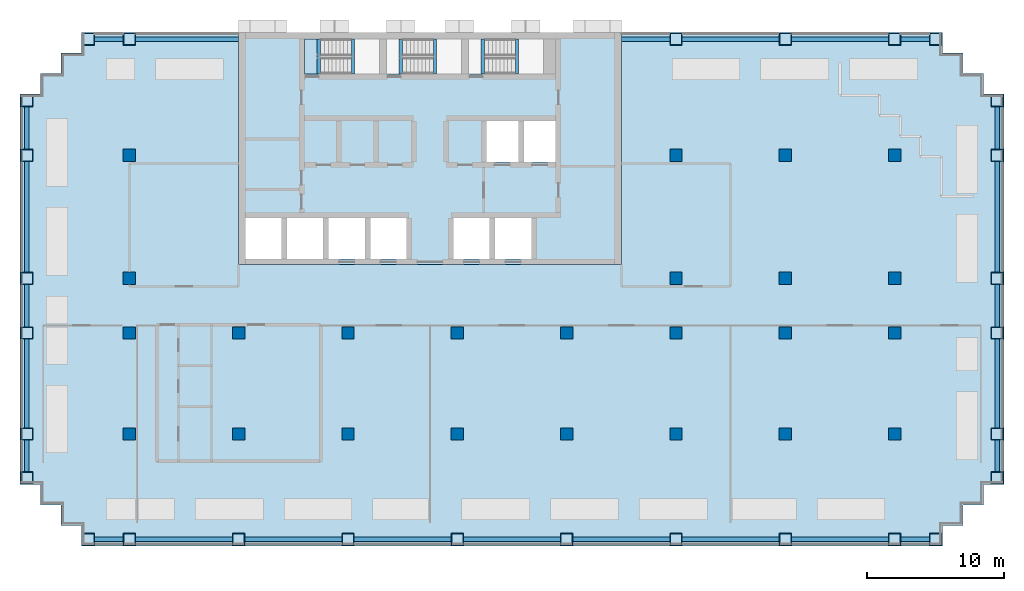
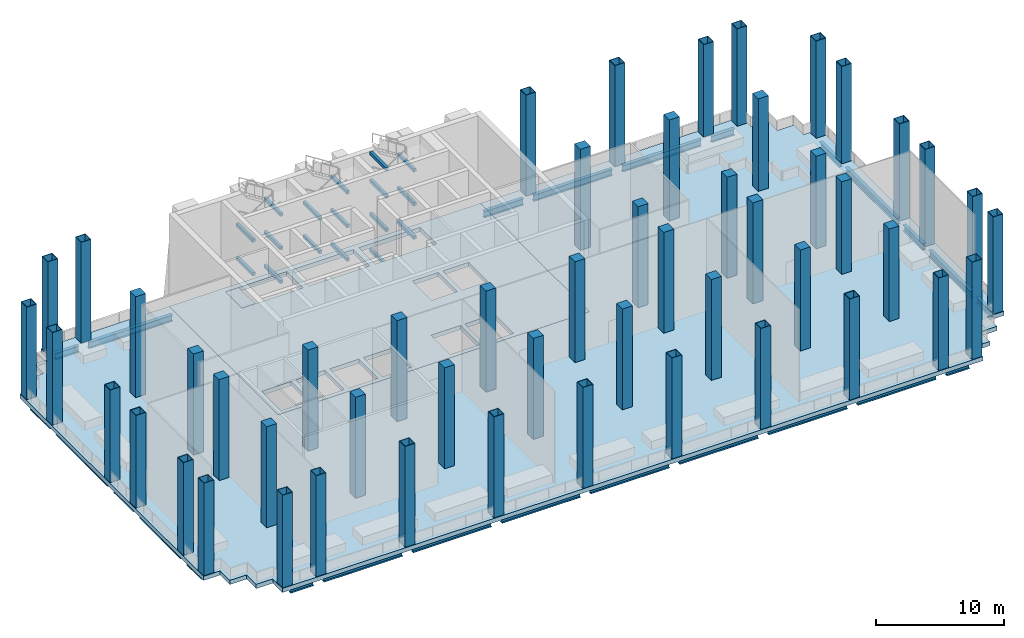
# One storey, part 1 of 9: 52 columns, 42 beams, 3 slabs.
"""IFC4 building model written with IfcOpenShell, lengths in metres."""

from ifc_helpers import new_model, si_unit, direction, frame, origin, origin_2d, place, context, subcontext, project, spatial, polyline, rectangle, hollow_rectangle, i_section, outline, extrude, material, layer, layer_set, material_profile, profile_set, type_object, element, save


model = new_model("IFC4")

# Units and contexts
model_context = context("Model", 3, precision=1e-05, world=origin(), true_north=direction((0.0, 1.0)))
body_context = subcontext(model_context, "Body", "Model", "MODEL_VIEW")
ifc_project = project(units=[si_unit("LENGTHUNIT", "METRE"), si_unit("AREAUNIT", "SQUARE_METRE"), si_unit("VOLUMEUNIT", "CUBIC_METRE"), si_unit("PLANEANGLEUNIT", "RADIAN"), si_unit("MASSUNIT", "GRAM", prefix="KILO")], contexts=[model_context])

# Site, building, storey
site_placement = place(None, origin())
site = spatial("IfcSite", under=ifc_project, at=site_placement, CompositionType="ELEMENT")
building_placement = place(site_placement, origin())
building = spatial("IfcBuilding", under=site, at=building_placement, Name="Vidyagriha Tower", CompositionType="ELEMENT")
storey_placement = place(building_placement, frame((0.0, 0.0, 106.300048828125)))
storey = spatial("IfcBuildingStorey", under=building, at=storey_placement, Name="L28", CompositionType="ELEMENT", Elevation=106.300048828125)

# Columns
ifc_material_1 = material(Name="Steel ASTM A572 Grade 50", Category="steel")
ifc_material_profile_1 = material_profile(ifc_material_1, hollow_rectangle(XDim=0.89990234375, YDim=0.89990234375, WallThickness=0.044921875, at=origin_2d()), Name="BOX 900x900x45")
ifc_profile_set_1 = profile_set([ifc_material_profile_1], Name="Steel ASTM A572 Grade 50")
column_type_1 = type_object("IfcColumnType", Name="Exoskeleton column BOX 900x900x45", PredefinedType="COLUMN", material=ifc_profile_set_1)
column_1_placement = place(storey_placement, frame((-25.0, -17.10009765625, 0.0)))
element("IfcColumn", 1, at=column_1_placement, inside=storey, type_object=column_type_1, Name="st-col-L28-B2-001", PredefinedType="COLUMN", context=body_context, shape_type="SweptSolid", body=[
    extrude(hollow_rectangle(XDim=0.89990234375, YDim=0.89990234375, WallThickness=0.044921875, at=origin_2d()), origin(), (0.0, 0.0, 1.0), 8.800048828125),
])
for number, where, name in (
    (2, (-22.0, -17.10009765625, 0.0), "st-col-L28-B2-002"),
    (3, (-14.0, -17.10009765625, 0.0), "st-col-L28-B2-003"),
    (4, (-6.0, -17.10009765625, 0.0), "st-col-L28-B2-004"),
    (5, (2.0, -17.10009765625, 0.0), "st-col-L28-B2-005"),
    (6, (10.0, -17.10009765625, 0.0), "st-col-L28-B2-006"),
    (7, (18.0, -17.10009765625, 0.0), "st-col-L28-B2-007"),
    (8, (26.0, -17.10009765625, 0.0), "st-col-L28-B2-008"),
):
    element("IfcColumn", number, at=place(storey_placement, frame(where)), inside=storey, type_object=column_type_1, Name=name, PredefinedType="COLUMN", context=body_context, shape_type="SweptSolid", body=[
        extrude(hollow_rectangle(XDim=0.89990234375, YDim=0.89990234375, WallThickness=0.044921875, at=origin_2d()), origin(), (0.0, 0.0, 1.0), 9.599853515625),
    ])
column_2_placement = place(storey_placement, frame((34.0, -17.10009765625, 0.0)))
element("IfcColumn", 9, at=column_2_placement, inside=storey, type_object=column_type_1, Name="st-col-L28-B2-009", PredefinedType="COLUMN", context=body_context, shape_type="SweptSolid", body=[
    extrude(hollow_rectangle(XDim=0.89990234375, YDim=0.89990234375, WallThickness=0.044921875, at=origin_2d()), origin(), (0.0, 0.0, 1.0), 8.800048828125),
])
column_3_placement = place(storey_placement, frame((37.0, -17.10009765625, 0.0)))
element("IfcColumn", 10, at=column_3_placement, inside=storey, type_object=column_type_1, Name="st-col-L28-B2-010", PredefinedType="COLUMN", context=body_context, shape_type="SweptSolid", body=[
    extrude(hollow_rectangle(XDim=0.89990234375, YDim=0.89990234375, WallThickness=0.044921875, at=origin_2d()), origin(), (0.0, 0.0, 1.0), 9.25),
])
column_4_placement = place(storey_placement, frame((-29.5, -12.60009765625, 0.0)))
element("IfcColumn", 11, at=column_4_placement, inside=storey, type_object=column_type_1, Name="st-col-L28-B2-011", PredefinedType="COLUMN", context=body_context, shape_type="SweptSolid", body=[
    extrude(hollow_rectangle(XDim=0.89990234375, YDim=0.89990234375, WallThickness=0.044921875, at=origin_2d()), origin(), (0.0, 0.0, 1.0), 8.800048828125),
])
column_5_placement = place(storey_placement, frame((41.5, -12.60009765625, 0.0)))
element("IfcColumn", 12, at=column_5_placement, inside=storey, type_object=column_type_1, Name="st-col-L28-B2-012", PredefinedType="COLUMN", context=body_context, shape_type="SweptSolid", body=[
    extrude(hollow_rectangle(XDim=0.89990234375, YDim=0.89990234375, WallThickness=0.044921875, at=origin_2d()), origin(), (0.0, 0.0, 1.0), 9.25),
])
column_6_placement = place(storey_placement, frame((-29.5, -9.39990234375, 0.0)))
element("IfcColumn", 13, at=column_6_placement, inside=storey, type_object=column_type_1, Name="st-col-L28-B2-013", PredefinedType="COLUMN", context=body_context, shape_type="SweptSolid", body=[
    extrude(hollow_rectangle(XDim=0.89990234375, YDim=0.89990234375, WallThickness=0.044921875, at=origin_2d()), origin(), (0.0, 0.0, 1.0), 8.800048828125),
])
column_7_placement = place(storey_placement, frame((41.5, -9.39990234375, 0.0)))
element("IfcColumn", 14, at=column_7_placement, inside=storey, type_object=column_type_1, Name="st-col-L28-B2-022", PredefinedType="COLUMN", context=body_context, shape_type="SweptSolid", body=[
    extrude(hollow_rectangle(XDim=0.89990234375, YDim=0.89990234375, WallThickness=0.044921875, at=origin_2d()), origin(), (0.0, 0.0, 1.0), 9.25),
])
column_8_placement = place(storey_placement, frame((-29.5, -2.0, 0.0)))
element("IfcColumn", 15, at=column_8_placement, inside=storey, type_object=column_type_1, Name="st-col-L28-B2-023", PredefinedType="COLUMN", context=body_context, shape_type="SweptSolid", body=[
    extrude(hollow_rectangle(XDim=0.89990234375, YDim=0.89990234375, WallThickness=0.044921875, at=origin_2d()), origin(), (0.0, 0.0, 1.0), 8.800048828125),
])
column_9_placement = place(storey_placement, frame((41.5, -2.0, 0.0)))
element("IfcColumn", 16, at=column_9_placement, inside=storey, type_object=column_type_1, Name="st-col-L28-B2-032", PredefinedType="COLUMN", context=body_context, shape_type="SweptSolid", body=[
    extrude(hollow_rectangle(XDim=0.89990234375, YDim=0.89990234375, WallThickness=0.044921875, at=origin_2d()), origin(), (0.0, 0.0, 1.0), 9.25),
])
column_10_placement = place(storey_placement, frame((-29.5, 2.0, 0.0)))
element("IfcColumn", 17, at=column_10_placement, inside=storey, type_object=column_type_1, Name="st-col-L28-B2-033", PredefinedType="COLUMN", context=body_context, shape_type="SweptSolid", body=[
    extrude(hollow_rectangle(XDim=0.89990234375, YDim=0.89990234375, WallThickness=0.044921875, at=origin_2d()), origin(), (0.0, 0.0, 1.0), 8.800048828125),
])
column_11_placement = place(storey_placement, frame((41.5, 2.0, 0.0)))
element("IfcColumn", 18, at=column_11_placement, inside=storey, type_object=column_type_1, Name="st-col-L28-B2-038", PredefinedType="COLUMN", context=body_context, shape_type="SweptSolid", body=[
    extrude(hollow_rectangle(XDim=0.89990234375, YDim=0.89990234375, WallThickness=0.044921875, at=origin_2d()), origin(), (0.0, 0.0, 1.0), 9.25),
])
column_12_placement = place(storey_placement, frame((-29.5, 11.0, 0.0)))
element("IfcColumn", 19, at=column_12_placement, inside=storey, type_object=column_type_1, Name="st-col-L28-B2-039", PredefinedType="COLUMN", context=body_context, shape_type="SweptSolid", body=[
    extrude(hollow_rectangle(XDim=0.89990234375, YDim=0.89990234375, WallThickness=0.044921875, at=origin_2d()), origin(), (0.0, 0.0, 1.0), 8.800048828125),
])
column_13_placement = place(storey_placement, frame((41.5, 11.0, 0.0)))
element("IfcColumn", 20, at=column_13_placement, inside=storey, type_object=column_type_1, Name="st-col-L28-B2-044", PredefinedType="COLUMN", context=body_context, shape_type="SweptSolid", body=[
    extrude(hollow_rectangle(XDim=0.89990234375, YDim=0.89990234375, WallThickness=0.044921875, at=origin_2d()), origin(), (0.0, 0.0, 1.0), 9.25),
])
column_14_placement = place(storey_placement, frame((-29.5, 15.0, 0.0)))
element("IfcColumn", 21, at=column_14_placement, inside=storey, type_object=column_type_1, Name="st-col-L28-B2-045", PredefinedType="COLUMN", context=body_context, shape_type="SweptSolid", body=[
    extrude(hollow_rectangle(XDim=0.89990234375, YDim=0.89990234375, WallThickness=0.044921875, at=origin_2d()), origin(), (0.0, 0.0, 1.0), 8.800048828125),
])
column_15_placement = place(storey_placement, frame((41.5, 15.0, 0.0)))
element("IfcColumn", 22, at=column_15_placement, inside=storey, type_object=column_type_1, Name="st-col-L28-B2-046", PredefinedType="COLUMN", context=body_context, shape_type="SweptSolid", body=[
    extrude(hollow_rectangle(XDim=0.89990234375, YDim=0.89990234375, WallThickness=0.044921875, at=origin_2d()), origin(), (0.0, 0.0, 1.0), 9.25),
])
column_16_placement = place(storey_placement, frame((-25.0, 19.5, 0.0)))
element("IfcColumn", 23, at=column_16_placement, inside=storey, type_object=column_type_1, Name="st-col-L28-B2-047", PredefinedType="COLUMN", context=body_context, shape_type="SweptSolid", body=[
    extrude(hollow_rectangle(XDim=0.89990234375, YDim=0.89990234375, WallThickness=0.044921875, at=origin_2d()), origin(), (0.0, 0.0, 1.0), 8.800048828125),
])
for number, where, name in (
    (24, (-22.0, 19.5, 0.0), "st-col-L28-B2-048"),
    (25, (18.0, 19.5, 0.0), "st-col-L28-B2-049"),
    (26, (26.0, 19.5, 0.0), "st-col-L28-B2-050"),
):
    element("IfcColumn", number, at=place(storey_placement, frame(where)), inside=storey, type_object=column_type_1, Name=name, PredefinedType="COLUMN", context=body_context, shape_type="SweptSolid", body=[
        extrude(hollow_rectangle(XDim=0.89990234375, YDim=0.89990234375, WallThickness=0.044921875, at=origin_2d()), origin(), (0.0, 0.0, 1.0), 9.599853515625),
    ])
column_17_placement = place(storey_placement, frame((34.0, 19.5, 0.0)))
element("IfcColumn", 27, at=column_17_placement, inside=storey, type_object=column_type_1, Name="st-col-L28-B2-051", PredefinedType="COLUMN", context=body_context, shape_type="SweptSolid", body=[
    extrude(hollow_rectangle(XDim=0.89990234375, YDim=0.89990234375, WallThickness=0.044921875, at=origin_2d()), origin(), (0.0, 0.0, 1.0), 8.800048828125),
])
column_18_placement = place(storey_placement, frame((37.0, 19.5, 0.0)))
element("IfcColumn", 28, at=column_18_placement, inside=storey, type_object=column_type_1, Name="st-col-L28-B2-052", PredefinedType="COLUMN", context=body_context, shape_type="SweptSolid", body=[
    extrude(hollow_rectangle(XDim=0.89990234375, YDim=0.89990234375, WallThickness=0.044921875, at=origin_2d()), origin(), (0.0, 0.0, 1.0), 9.25),
])
ifc_material_2 = material(Name="Concrete C80/95", Category="concrete")
ifc_material_profile_2 = material_profile(ifc_material_2, rectangle(XDim=0.89990234375, YDim=0.89990234375, at=origin_2d()), Name="RC 900x900")
ifc_profile_set_2 = profile_set([ifc_material_profile_2], Name="Concrete C80/95")
column_type_2 = type_object("IfcColumnType", Name="Frame column RC 900x900", PredefinedType="COLUMN", material=ifc_profile_set_2)
for number, where, name in (
    (29, (-22.0, -9.39990234375, 0.0), "st-col-L28-B2-014"),
    (30, (-14.0, -9.39990234375, 0.0), "st-col-L28-B2-015"),
    (31, (-6.0, -9.39990234375, 0.0), "st-col-L28-B2-016"),
    (32, (2.0, -9.39990234375, 0.0), "st-col-L28-B2-017"),
    (33, (10.0, -9.39990234375, 0.0), "st-col-L28-B2-018"),
    (34, (18.0, -9.39990234375, 0.0), "st-col-L28-B2-019"),
    (35, (26.0, -9.39990234375, 0.0), "st-col-L28-B2-020"),
):
    element("IfcColumn", number, at=place(storey_placement, frame(where)), inside=storey, type_object=column_type_2, Name=name, PredefinedType="COLUMN", context=body_context, shape_type="SweptSolid", body=[
        extrude(rectangle(XDim=0.89990234375, YDim=0.89990234375, at=origin_2d()), origin(), (0.0, 0.0, 1.0), 9.599853515625),
    ])
column_19_placement = place(storey_placement, frame((34.0, -9.39990234375, 0.0)))
element("IfcColumn", 36, at=column_19_placement, inside=storey, type_object=column_type_2, Name="st-col-L28-B2-021", PredefinedType="COLUMN", context=body_context, shape_type="SweptSolid", body=[
    extrude(rectangle(XDim=0.89990234375, YDim=0.89990234375, at=origin_2d()), origin(), (0.0, 0.0, 1.0), 8.800048828125),
])
for number, where, name in (
    (37, (-22.0, -2.0, 0.0), "st-col-L28-B2-024"),
    (38, (-14.0, -2.0, 0.0), "st-col-L28-B2-025"),
    (39, (-6.0, -2.0, 0.0), "st-col-L28-B2-026"),
    (40, (2.0, -2.0, 0.0), "st-col-L28-B2-027"),
    (41, (10.0, -2.0, 0.0), "st-col-L28-B2-028"),
    (42, (18.0, -2.0, 0.0), "st-col-L28-B2-029"),
    (43, (26.0, -2.0, 0.0), "st-col-L28-B2-030"),
):
    element("IfcColumn", number, at=place(storey_placement, frame(where)), inside=storey, type_object=column_type_2, Name=name, PredefinedType="COLUMN", context=body_context, shape_type="SweptSolid", body=[
        extrude(rectangle(XDim=0.89990234375, YDim=0.89990234375, at=origin_2d()), origin(), (0.0, 0.0, 1.0), 9.599853515625),
    ])
column_20_placement = place(storey_placement, frame((34.0, -2.0, 0.0)))
element("IfcColumn", 44, at=column_20_placement, inside=storey, type_object=column_type_2, Name="st-col-L28-B2-031", PredefinedType="COLUMN", context=body_context, shape_type="SweptSolid", body=[
    extrude(rectangle(XDim=0.89990234375, YDim=0.89990234375, at=origin_2d()), origin(), (0.0, 0.0, 1.0), 8.800048828125),
])
for number, where, name in (
    (45, (-22.0, 2.0, 0.0), "st-col-L28-B2-034"),
    (46, (18.0, 2.0, 0.0), "st-col-L28-B2-035"),
    (47, (26.0, 2.0, 0.0), "st-col-L28-B2-036"),
):
    element("IfcColumn", number, at=place(storey_placement, frame(where)), inside=storey, type_object=column_type_2, Name=name, PredefinedType="COLUMN", context=body_context, shape_type="SweptSolid", body=[
        extrude(rectangle(XDim=0.89990234375, YDim=0.89990234375, at=origin_2d()), origin(), (0.0, 0.0, 1.0), 9.599853515625),
    ])
column_21_placement = place(storey_placement, frame((34.0, 2.0, 0.0)))
element("IfcColumn", 48, at=column_21_placement, inside=storey, type_object=column_type_2, Name="st-col-L28-B2-037", PredefinedType="COLUMN", context=body_context, shape_type="SweptSolid", body=[
    extrude(rectangle(XDim=0.89990234375, YDim=0.89990234375, at=origin_2d()), origin(), (0.0, 0.0, 1.0), 8.800048828125),
])
for number, where, name in (
    (49, (-22.0, 11.0, 0.0), "st-col-L28-B2-040"),
    (50, (18.0, 11.0, 0.0), "st-col-L28-B2-041"),
    (51, (26.0, 11.0, 0.0), "st-col-L28-B2-042"),
):
    element("IfcColumn", number, at=place(storey_placement, frame(where)), inside=storey, type_object=column_type_2, Name=name, PredefinedType="COLUMN", context=body_context, shape_type="SweptSolid", body=[
        extrude(rectangle(XDim=0.89990234375, YDim=0.89990234375, at=origin_2d()), origin(), (0.0, 0.0, 1.0), 9.599853515625),
    ])
column_22_placement = place(storey_placement, frame((34.0, 11.0, 0.0)))
element("IfcColumn", 52, at=column_22_placement, inside=storey, type_object=column_type_2, Name="st-col-L28-B2-043", PredefinedType="COLUMN", context=body_context, shape_type="SweptSolid", body=[
    extrude(rectangle(XDim=0.89990234375, YDim=0.89990234375, at=origin_2d()), origin(), (0.0, 0.0, 1.0), 8.800048828125),
])

# Beams
ifc_material_3 = material(Name="Steel ASTM A992 Grade 50", Category="steel")
ifc_material_profile_3 = material_profile(ifc_material_3, i_section(OverallWidth=0.32373046875, OverallDepth=0.612060546875, WebThickness=0.0126953125, FlangeThickness=0.01904296875, at=origin_2d()), Name="W24X104")
ifc_profile_set_3 = profile_set([ifc_material_profile_3], Name="Steel ASTM A992 Grade 50")
beam_type_1 = type_object("IfcBeamType", Name="Edge beam W24X104", PredefinedType="SPANDREL", material=ifc_profile_set_3)
beam_1_placement = place(storey_placement, frame((-24.550048828125, -17.10009765625, -0.7060546875), z_axis=(1.0, 0.0, 0.0), x_axis=(0.0, 1.0, 0.0)))
element("IfcBeam", 53, at=beam_1_placement, inside=storey, type_object=beam_type_1, Name="st-beam-L28-S01", PredefinedType="SPANDREL", context=body_context, shape_type="SweptSolid", body=[
    extrude(i_section(OverallWidth=0.32373046875, OverallDepth=0.612060546875, WebThickness=0.0126953125, FlangeThickness=0.01904296875, at=origin_2d()), origin(), (0.0, 0.0, 1.0), 2.10009765625),
])
for number, where, z_axis, x_axis, name in (
    (54, (-21.550048828125, -17.10009765625, -0.7060546875), (1.0, 0.0, 0.0), (0.0, 1.0, 0.0), "st-beam-L28-S02"),
    (55, (-13.550048828125, -17.10009765625, -0.7060546875), (1.0, 0.0, 0.0), (0.0, 1.0, 0.0), "st-beam-L28-S03"),
    (56, (-5.550048828125, -17.10009765625, -0.7060546875), (1.0, 0.0, 0.0), (0.0, 1.0, 0.0), "st-beam-L28-S04"),
    (57, (2.449951171875, -17.10009765625, -0.7060546875), (1.0, 0.0, 0.0), (0.0, 1.0, 0.0), "st-beam-L28-S05"),
    (58, (10.449951171875, -17.10009765625, -0.7060546875), (1.0, 0.0, 0.0), (0.0, 1.0, 0.0), "st-beam-L28-S06"),
    (59, (18.449951171875, -17.10009765625, -0.7060546875), (1.0, 0.0, 0.0), (0.0, 1.0, 0.0), "st-beam-L28-S07"),
    (60, (26.449951171875, -17.10009765625, -0.7060546875), (1.0, 0.0, 0.0), (0.0, 1.0, 0.0), "st-beam-L28-S08"),
):
    element("IfcBeam", number, at=place(storey_placement, frame(where, z_axis=z_axis, x_axis=x_axis)), inside=storey, type_object=beam_type_1, Name=name, PredefinedType="SPANDREL", context=body_context, shape_type="SweptSolid", body=[
        extrude(i_section(OverallWidth=0.32373046875, OverallDepth=0.612060546875, WebThickness=0.0126953125, FlangeThickness=0.01904296875, at=origin_2d()), origin(), (0.0, 0.0, 1.0), 7.10009765625),
    ])
beam_2_placement = place(storey_placement, frame((34.449951171875, -17.10009765625, -0.7060546875), z_axis=(1.0, 0.0, 0.0), x_axis=(0.0, 1.0, 0.0)))
element("IfcBeam", 61, at=beam_2_placement, inside=storey, type_object=beam_type_1, Name="st-beam-L28-S09", PredefinedType="SPANDREL", context=body_context, shape_type="SweptSolid", body=[
    extrude(i_section(OverallWidth=0.32373046875, OverallDepth=0.612060546875, WebThickness=0.0126953125, FlangeThickness=0.01904296875, at=origin_2d()), origin(), (0.0, 0.0, 1.0), 2.10009765625),
])
beam_3_placement = place(storey_placement, frame((-29.5, -12.14990234375, -0.7060546875), z_axis=(0.0, 1.0, 0.0), x_axis=(-1.0, 0.0, 0.0)))
element("IfcBeam", 62, at=beam_3_placement, inside=storey, type_object=beam_type_1, Name="st-beam-L28-W10", PredefinedType="SPANDREL", context=body_context, shape_type="SweptSolid", body=[
    extrude(i_section(OverallWidth=0.32373046875, OverallDepth=0.612060546875, WebThickness=0.0126953125, FlangeThickness=0.01904296875, at=origin_2d()), origin(), (0.0, 0.0, 1.0), 2.2998046875),
])
beam_4_placement = place(storey_placement, frame((-29.5, -8.949951171875, -0.7060546875), z_axis=(0.0, 1.0, 0.0), x_axis=(-1.0, 0.0, 0.0)))
element("IfcBeam", 63, at=beam_4_placement, inside=storey, type_object=beam_type_1, Name="st-beam-L28-W11", PredefinedType="SPANDREL", context=body_context, shape_type="SweptSolid", body=[
    extrude(i_section(OverallWidth=0.32373046875, OverallDepth=0.612060546875, WebThickness=0.0126953125, FlangeThickness=0.01904296875, at=origin_2d()), origin(), (0.0, 0.0, 1.0), 6.5),
])
beam_5_placement = place(storey_placement, frame((-29.5, -1.550048828125, -0.7060546875), z_axis=(0.0, 1.0, 0.0), x_axis=(-1.0, 0.0, 0.0)))
element("IfcBeam", 64, at=beam_5_placement, inside=storey, type_object=beam_type_1, Name="st-beam-L28-W12", PredefinedType="SPANDREL", context=body_context, shape_type="SweptSolid", body=[
    extrude(i_section(OverallWidth=0.32373046875, OverallDepth=0.612060546875, WebThickness=0.0126953125, FlangeThickness=0.01904296875, at=origin_2d()), origin(), (0.0, 0.0, 1.0), 3.10009765625),
])
beam_6_placement = place(storey_placement, frame((-29.5, 2.449951171875, -0.7060546875), z_axis=(0.0, 1.0, 0.0), x_axis=(-1.0, 0.0, 0.0)))
element("IfcBeam", 65, at=beam_6_placement, inside=storey, type_object=beam_type_1, Name="st-beam-L28-W13", PredefinedType="SPANDREL", context=body_context, shape_type="SweptSolid", body=[
    extrude(i_section(OverallWidth=0.32373046875, OverallDepth=0.612060546875, WebThickness=0.0126953125, FlangeThickness=0.01904296875, at=origin_2d()), origin(), (0.0, 0.0, 1.0), 8.10009765625),
])
beam_7_placement = place(storey_placement, frame((-29.5, 11.449951171875, -0.7060546875), z_axis=(0.0, 1.0, 0.0), x_axis=(-1.0, 0.0, 0.0)))
element("IfcBeam", 66, at=beam_7_placement, inside=storey, type_object=beam_type_1, Name="st-beam-L28-W14", PredefinedType="SPANDREL", context=body_context, shape_type="SweptSolid", body=[
    extrude(i_section(OverallWidth=0.32373046875, OverallDepth=0.612060546875, WebThickness=0.0126953125, FlangeThickness=0.01904296875, at=origin_2d()), origin(), (0.0, 0.0, 1.0), 3.10009765625),
])
beam_8_placement = place(storey_placement, frame((41.5, -12.14990234375, -0.7060546875), z_axis=(0.0, 1.0, 0.0), x_axis=(-1.0, 0.0, 0.0)))
element("IfcBeam", 67, at=beam_8_placement, inside=storey, type_object=beam_type_1, Name="st-beam-L28-E15", PredefinedType="SPANDREL", context=body_context, shape_type="SweptSolid", body=[
    extrude(i_section(OverallWidth=0.32373046875, OverallDepth=0.612060546875, WebThickness=0.0126953125, FlangeThickness=0.01904296875, at=origin_2d()), origin(), (0.0, 0.0, 1.0), 2.2998046875),
])
beam_9_placement = place(storey_placement, frame((41.5, -8.949951171875, -0.7060546875), z_axis=(0.0, 1.0, 0.0), x_axis=(-1.0, 0.0, 0.0)))
element("IfcBeam", 68, at=beam_9_placement, inside=storey, type_object=beam_type_1, Name="st-beam-L28-E16", PredefinedType="SPANDREL", context=body_context, shape_type="SweptSolid", body=[
    extrude(i_section(OverallWidth=0.32373046875, OverallDepth=0.612060546875, WebThickness=0.0126953125, FlangeThickness=0.01904296875, at=origin_2d()), origin(), (0.0, 0.0, 1.0), 6.5),
])
beam_10_placement = place(storey_placement, frame((41.5, -1.550048828125, -0.7060546875), z_axis=(0.0, 1.0, 0.0), x_axis=(-1.0, 0.0, 0.0)))
element("IfcBeam", 69, at=beam_10_placement, inside=storey, type_object=beam_type_1, Name="st-beam-L28-E17", PredefinedType="SPANDREL", context=body_context, shape_type="SweptSolid", body=[
    extrude(i_section(OverallWidth=0.32373046875, OverallDepth=0.612060546875, WebThickness=0.0126953125, FlangeThickness=0.01904296875, at=origin_2d()), origin(), (0.0, 0.0, 1.0), 3.10009765625),
])
beam_11_placement = place(storey_placement, frame((41.5, 2.449951171875, -0.7060546875), z_axis=(0.0, 1.0, 0.0), x_axis=(-1.0, 0.0, 0.0)))
element("IfcBeam", 70, at=beam_11_placement, inside=storey, type_object=beam_type_1, Name="st-beam-L28-E18", PredefinedType="SPANDREL", context=body_context, shape_type="SweptSolid", body=[
    extrude(i_section(OverallWidth=0.32373046875, OverallDepth=0.612060546875, WebThickness=0.0126953125, FlangeThickness=0.01904296875, at=origin_2d()), origin(), (0.0, 0.0, 1.0), 8.10009765625),
])
beam_12_placement = place(storey_placement, frame((41.5, 11.449951171875, -0.7060546875), z_axis=(0.0, 1.0, 0.0), x_axis=(-1.0, 0.0, 0.0)))
element("IfcBeam", 71, at=beam_12_placement, inside=storey, type_object=beam_type_1, Name="st-beam-L28-E19", PredefinedType="SPANDREL", context=body_context, shape_type="SweptSolid", body=[
    extrude(i_section(OverallWidth=0.32373046875, OverallDepth=0.612060546875, WebThickness=0.0126953125, FlangeThickness=0.01904296875, at=origin_2d()), origin(), (0.0, 0.0, 1.0), 3.10009765625),
])
beam_13_placement = place(storey_placement, frame((-24.550048828125, 19.5, -0.7060546875), z_axis=(1.0, 0.0, 0.0), x_axis=(0.0, 1.0, 0.0)))
element("IfcBeam", 72, at=beam_13_placement, inside=storey, type_object=beam_type_1, Name="st-beam-L28-NW20", PredefinedType="SPANDREL", context=body_context, shape_type="SweptSolid", body=[
    extrude(i_section(OverallWidth=0.32373046875, OverallDepth=0.612060546875, WebThickness=0.0126953125, FlangeThickness=0.01904296875, at=origin_2d()), origin(), (0.0, 0.0, 1.0), 2.10009765625),
])
for number, where, z_axis, x_axis, name in (
    (73, (18.449951171875, 19.5, -0.7060546875), (1.0, 0.0, 0.0), (0.0, 1.0, 0.0), "st-beam-L28-NE21"),
    (74, (26.449951171875, 19.5, -0.7060546875), (1.0, 0.0, 0.0), (0.0, 1.0, 0.0), "st-beam-L28-NE22"),
):
    element("IfcBeam", number, at=place(storey_placement, frame(where, z_axis=z_axis, x_axis=x_axis)), inside=storey, type_object=beam_type_1, Name=name, PredefinedType="SPANDREL", context=body_context, shape_type="SweptSolid", body=[
        extrude(i_section(OverallWidth=0.32373046875, OverallDepth=0.612060546875, WebThickness=0.0126953125, FlangeThickness=0.01904296875, at=origin_2d()), origin(), (0.0, 0.0, 1.0), 7.10009765625),
    ])
beam_14_placement = place(storey_placement, frame((34.449951171875, 19.5, -0.7060546875), z_axis=(1.0, 0.0, 0.0), x_axis=(0.0, 1.0, 0.0)))
element("IfcBeam", 75, at=beam_14_placement, inside=storey, type_object=beam_type_1, Name="st-beam-L28-NE23", PredefinedType="SPANDREL", context=body_context, shape_type="SweptSolid", body=[
    extrude(i_section(OverallWidth=0.32373046875, OverallDepth=0.612060546875, WebThickness=0.0126953125, FlangeThickness=0.01904296875, at=origin_2d()), origin(), (0.0, 0.0, 1.0), 2.10009765625),
])
beam_15_placement = place(storey_placement, frame((-21.550048828125, 19.5, -0.7060546875), z_axis=(1.0, 0.0, 0.0), x_axis=(0.0, 1.0, 0.0)))
element("IfcBeam", 76, at=beam_15_placement, inside=storey, type_object=beam_type_1, Name="st-beam-L28-NC24", PredefinedType="SPANDREL", context=body_context, shape_type="SweptSolid", body=[
    extrude(i_section(OverallWidth=0.32373046875, OverallDepth=0.612060546875, WebThickness=0.0126953125, FlangeThickness=0.01904296875, at=origin_2d()), origin(), (0.0, 0.0, 1.0), 7.550048828125),
])
beam_16_placement = place(storey_placement, frame((14.0, 19.5, -0.7060546875), z_axis=(1.0, 0.0, 0.0), x_axis=(0.0, 1.0, 0.0)))
element("IfcBeam", 77, at=beam_16_placement, inside=storey, type_object=beam_type_1, Name="st-beam-L28-NC25", PredefinedType="SPANDREL", context=body_context, shape_type="SweptSolid", body=[
    extrude(i_section(OverallWidth=0.32373046875, OverallDepth=0.612060546875, WebThickness=0.0126953125, FlangeThickness=0.01904296875, at=origin_2d()), origin(), (0.0, 0.0, 1.0), 3.550048828125),
])
ifc_material_4 = material(Name="Concrete C40/50", Category="concrete")
ifc_material_profile_4 = material_profile(ifc_material_4, rectangle(XDim=0.25, YDim=0.300048828125, at=origin_2d()), Name="Stair landing bearing beam 250x300")
ifc_profile_set_4 = profile_set([ifc_material_profile_4], Name="Concrete C40/50")
beam_type_2 = type_object("IfcBeamType", Name="Stair landing bearing beam 250x300", PredefinedType="BEAM", material=ifc_profile_set_4)
for number, where, z_axis, x_axis, name in (
    (78, (3.875, 16.949951171875, -0.550048828125), (0.0, 1.0, 0.0), (-1.0, 0.0, 0.0), "ST3 floor landing bearing beam L28"),
    (79, (3.875, 16.949951171875, 8.64990234375), (0.0, 1.0, 0.0), (-1.0, 0.0, 0.0), "ST3 floor landing bearing beam L29"),
    (80, (-5.635009765625, 16.949951171875, 1.25), (0.0, 1.0, 0.0), (-1.0, 0.0, 0.0), "ST1 landing bearing beam L28"),
    (81, (-8.125, 16.949951171875, 2.849853515625), (0.0, 1.0, 0.0), (-1.0, 0.0, 0.0), "ST1 landing bearing beam L28"),
    (82, (-5.635009765625, 16.949951171875, 4.449951171875), (0.0, 1.0, 0.0), (-1.0, 0.0, 0.0), "ST1 landing bearing beam L28"),
    (83, (-8.125, 16.949951171875, 6.050048828125), (0.0, 1.0, 0.0), (-1.0, 0.0, 0.0), "ST1 landing bearing beam L28"),
    (84, (-5.635009765625, 16.949951171875, 7.64990234375), (0.0, 1.0, 0.0), (-1.0, 0.0, 0.0), "ST1 landing bearing beam L28"),
    (85, (0.364990234375, 16.949951171875, 1.25), (0.0, 1.0, 0.0), (-1.0, 0.0, 0.0), "ST2 landing bearing beam L28"),
    (86, (-2.125, 16.949951171875, 2.849853515625), (0.0, 1.0, 0.0), (-1.0, 0.0, 0.0), "ST2 landing bearing beam L28"),
    (87, (0.364990234375, 16.949951171875, 4.449951171875), (0.0, 1.0, 0.0), (-1.0, 0.0, 0.0), "ST2 landing bearing beam L28"),
    (88, (-2.125, 16.949951171875, 6.050048828125), (0.0, 1.0, 0.0), (-1.0, 0.0, 0.0), "ST2 landing bearing beam L28"),
    (89, (0.364990234375, 16.949951171875, 7.64990234375), (0.0, 1.0, 0.0), (-1.0, 0.0, 0.0), "ST2 landing bearing beam L28"),
    (90, (6.364990234375, 16.949951171875, 1.25), (0.0, 1.0, 0.0), (-1.0, 0.0, 0.0), "ST3 landing bearing beam L28"),
    (91, (3.875, 16.949951171875, 2.849853515625), (0.0, 1.0, 0.0), (-1.0, 0.0, 0.0), "ST3 landing bearing beam L28"),
    (92, (6.364990234375, 16.949951171875, 4.449951171875), (0.0, 1.0, 0.0), (-1.0, 0.0, 0.0), "ST3 landing bearing beam L28"),
    (93, (3.875, 16.949951171875, 6.050048828125), (0.0, 1.0, 0.0), (-1.0, 0.0, 0.0), "ST3 landing bearing beam L28"),
    (94, (6.364990234375, 16.949951171875, 7.64990234375), (0.0, 1.0, 0.0), (-1.0, 0.0, 0.0), "ST3 landing bearing beam L28"),
):
    element("IfcBeam", number, at=place(storey_placement, frame(where, z_axis=z_axis, x_axis=x_axis)), inside=storey, type_object=beam_type_2, Name=name, PredefinedType="BEAM", context=body_context, shape_type="SweptSolid", body=[
        extrude(rectangle(XDim=0.25, YDim=0.300048828125, at=origin_2d()), origin(), (0.0, 0.0, 1.0), 2.550048828125),
    ])

# Slabs
ifc_material_5 = material(Name="Concrete C60/75", Category="concrete")
ifc_layer_1 = layer(ifc_material_5, 0.39990234375)
ifc_layer_set_1 = layer_set([ifc_layer_1], Name="Concrete C60/75")
slab_type_1 = type_object("IfcSlabType", Name="Core floor slab 400 mm", PredefinedType="FLOOR", material=ifc_layer_set_1)
slab_1_placement = place(storey_placement, frame((0.0, 0.0, -0.400146484375)))
element("IfcSlab", 95, at=slab_1_placement, inside=storey, type_object=slab_type_1, Name="L28 core floor 1", PredefinedType="FLOOR", context=body_context, shape_type="SweptSolid", body=[
    extrude(outline(polyline([(-14.0, 3.0), (-14.0, 20.0), (14.0, 20.0), (14.0, 3.0), (-14.0, 3.0)]), holes=[polyline([(9.199951171875, 13.5), (6.86669921875, 13.5), (6.86669921875, 10.5), (9.199951171875, 10.5), (9.199951171875, 13.5)]), polyline([(4.0, 19.5), (2.800048828125, 19.5), (2.800048828125, 16.949951171875), (4.0, 16.949951171875), (8.300048828125, 16.949951171875), (8.300048828125, 19.5), (4.0, 19.5)]), polyline([(7.4111328125, 6.39990234375), (4.7666015625, 6.39990234375), (4.7666015625, 3.39990234375), (7.4111328125, 3.39990234375), (7.4111328125, 6.39990234375)]), polyline([(6.466796875, 13.5), (4.13330078125, 13.5), (4.13330078125, 10.5), (6.466796875, 10.5), (6.466796875, 13.5)]), polyline([(1.72216796875, 6.39990234375), (1.72216796875, 3.39990234375), (4.36669921875, 3.39990234375), (4.36669921875, 6.39990234375), (1.72216796875, 6.39990234375)]), polyline([(-2.0, 16.949951171875), (2.300048828125, 16.949951171875), (2.300048828125, 19.5), (-2.0, 19.5), (-3.199951171875, 19.5), (-3.199951171875, 16.949951171875), (-2.0, 16.949951171875)]), polyline([(-1.72216796875, 6.39990234375), (-4.36669921875, 6.39990234375), (-4.36669921875, 3.39990234375), (-1.72216796875, 3.39990234375), (-1.72216796875, 6.39990234375)]), polyline([(-8.0, 19.5), (-9.199951171875, 19.5), (-9.199951171875, 16.949951171875), (-8.0, 16.949951171875), (-3.699951171875, 16.949951171875), (-3.699951171875, 19.5), (-8.0, 19.5)]), polyline([(-4.7666015625, 6.39990234375), (-7.4111328125, 6.39990234375), (-7.4111328125, 3.39990234375), (-4.7666015625, 3.39990234375), (-4.7666015625, 6.39990234375)]), polyline([(-7.81103515625, 6.39990234375), (-10.45556640625, 6.39990234375), (-10.45556640625, 3.39990234375), (-7.81103515625, 3.39990234375), (-7.81103515625, 6.39990234375)]), polyline([(-13.5, 6.39990234375), (-13.5, 3.39990234375), (-10.855712890625, 3.39990234375), (-10.855712890625, 6.39990234375), (-13.5, 6.39990234375)])]), origin(), (0.0, 0.0, 1.0), 0.400146484375),
])
ifc_material_6 = material(Name="Concrete C40/50", Category="concrete")
ifc_layer_2 = layer(ifc_material_6, 0.39990234375)
ifc_layer_set_2 = layer_set([ifc_layer_2], Name="Concrete C40/50")
slab_type_2 = type_object("IfcSlabType", Name="Exit stair floor landing 400 mm", PredefinedType="LANDING", material=ifc_layer_set_2)
slab_2_placement = place(storey_placement, frame((0.0, 0.0, -0.400146484375)))
element("IfcSlab", 96, at=slab_2_placement, inside=storey, type_object=slab_type_2, Name="ST1 floor landing L28", PredefinedType="LANDING", context=body_context, shape_type="SweptSolid", body=[
    extrude(outline(polyline([(-9.199951171875, 16.949951171875), (-8.0, 16.949951171875), (-8.0, 19.5), (-9.199951171875, 19.5), (-9.199951171875, 16.949951171875)])), origin(), (0.0, 0.0, 1.0), 0.400146484375),
])
ifc_material_7 = material(Name="Concrete C50/60", Category="concrete")
ifc_layer_3 = layer(ifc_material_7, 0.39990234375)
ifc_layer_set_3 = layer_set([ifc_layer_3], Name="Concrete C50/60")
slab_type_3 = type_object("IfcSlabType", Name="Post-tensioned flat plate 400", PredefinedType="FLOOR", material=ifc_layer_set_3)
slab_3_placement = place(storey_placement, frame((0.0, 0.0, -0.400146484375)))
element("IfcSlab", 97, at=slab_3_placement, inside=storey, type_object=slab_type_3, Name="st-slab-L28-1", PredefinedType="FLOOR", context=body_context, shape_type="SweptSolid", body=[
    extrude(outline(polyline([(40.5, -13.10009765625), (40.5, -14.60009765625), (39.0, -14.60009765625), (39.0, -16.10009765625), (37.5, -16.10009765625), (37.5, -17.60009765625), (-25.5, -17.60009765625), (-25.5, -16.10009765625), (-27.0, -16.10009765625), (-27.0, -14.60009765625), (-28.5, -14.60009765625), (-28.5, -13.10009765625), (-30.0, -13.10009765625), (-30.0, 15.5), (-28.5, 15.5), (-28.5, 17.0), (-27.0, 17.0), (-27.0, 18.5), (-25.5, 18.5), (-25.5, 20.0), (-14.0, 20.0), (-14.0, 3.0), (14.0, 3.0), (14.0, 20.0), (37.5, 20.0), (37.5, 18.5), (39.0, 18.5), (39.0, 17.0), (40.5, 17.0), (40.5, 15.5), (42.0, 15.5), (42.0, -13.10009765625), (40.5, -13.10009765625)])), origin(), (0.0, 0.0, 1.0), 0.400146484375),
])

save(model, "model.ifc")
